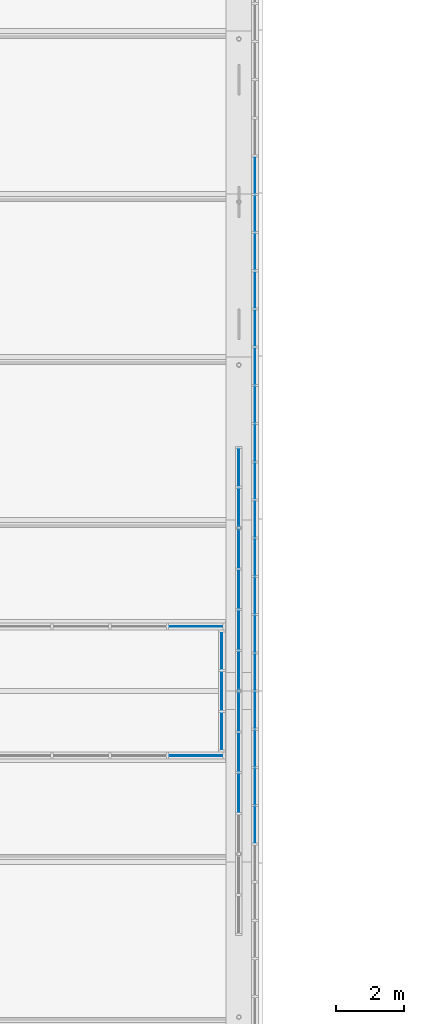
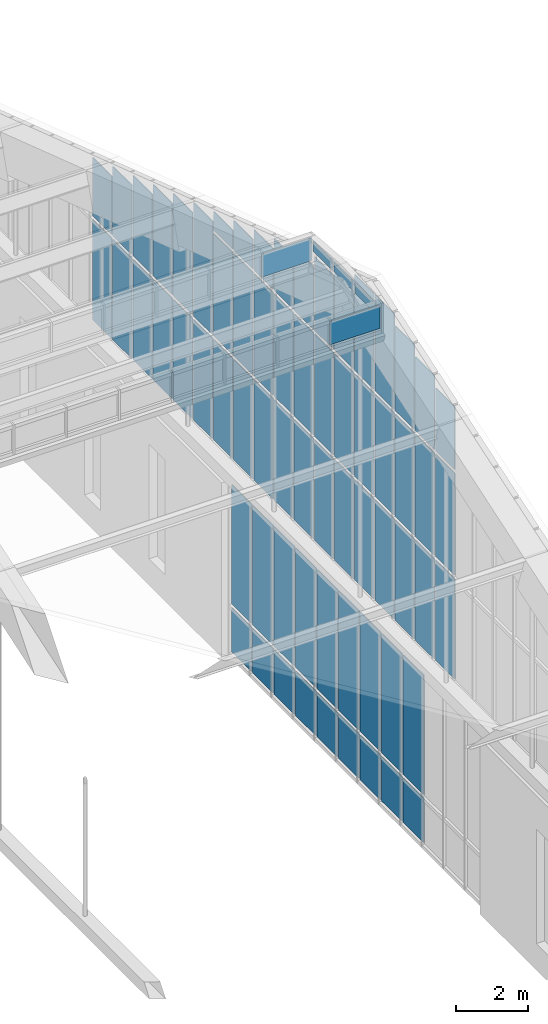
# One storey, part 118 of 149: 71 plates, 5 elements without a shape of their own.
"""IFC4 building model written with IfcOpenShell, lengths in metres."""

from ifc_helpers import new_model, si_unit, direction, frame, origin, origin_2d, place, context, subcontext, project, spatial, rectangle, extrude, material, layer, layer_set, type_object, element, aggregate, save


model = new_model("IFC4")

# Units and contexts
model_context = context("Model", 3, precision=1e-05, world=origin(), true_north=direction((0.0, 1.0)))
body_context = subcontext(model_context, "Body", "Model", "MODEL_VIEW")
ifc_project = project(units=[si_unit("LENGTHUNIT", "METRE"), si_unit("AREAUNIT", "SQUARE_METRE"), si_unit("VOLUMEUNIT", "CUBIC_METRE"), si_unit("PLANEANGLEUNIT", "RADIAN"), si_unit("MASSUNIT", "GRAM", prefix="KILO")], contexts=[model_context])

# Site, building, storey
site_placement = place(None, origin())
site = spatial("IfcSite", under=ifc_project, at=site_placement, CompositionType="ELEMENT")
building_placement = place(site_placement, origin())
building = spatial("IfcBuilding", under=site, at=building_placement, Name="Alderwick Market Hall", CompositionType="ELEMENT")
storey_placement = place(building_placement, frame((0.0, 0.0, 9.60009765625)))
storey = spatial("IfcBuildingStorey", under=building, at=storey_placement, Name="L01", CompositionType="ELEMENT", Elevation=9.60009765625)

# Curtain wall, plates
ifc_material_1 = material(Name="Aluminium", Category="aluminium")
curtain_wall_type = type_object("IfcCurtainWallType", Name="R Curtain Wall Frame", PredefinedType="NOTDEFINED", material=ifc_material_1)
curtain_wall_1_placement = place(storey_placement, origin())
curtain_wall_1 = element("IfcCurtainWall", 1, at=curtain_wall_1_placement, inside=storey, type_object=curtain_wall_type, Name="Curtain wall GCW2", PredefinedType="NOTDEFINED")
ifc_material_2 = material(Name="Glass 8+8 mm PVB interlayer", Category="glass")
ifc_layer = layer(ifc_material_2, 0.028076171875)
ifc_layer_set = layer_set([ifc_layer], Name="Glass 8+8 mm PVB interlayer")
plate_type = type_object("IfcPlateType", Name="R CW Panel IGU 28", PredefinedType="CURTAIN_PANEL", material=ifc_layer_set)
plate_1_placement = place(storey_placement, frame((151.199951171875, 76.199951171875, 0.119873046875), z_axis=(0.0, 0.0, 1.0), x_axis=(1.0, 0.0, 0.0)))
plate_1 = element("IfcPlate", 2, at=plate_1_placement, type_object=plate_type, Name="GCW2 panel 4.1", PredefinedType="CURTAIN_PANEL", context=body_context, shape_type="SweptSolid", body=[
    extrude(rectangle(XDim=0.028076171875, YDim=1.139892578125, at=origin_2d()), origin(), (0.0, 0.0, 1.0), 1.52001953125),
])
plate_2_placement = place(storey_placement, frame((151.199951171875, 76.199951171875, 1.759765625), z_axis=(0.0, 0.0, 1.0), x_axis=(1.0, 0.0, 0.0)))
plate_2 = element("IfcPlate", 3, at=plate_2_placement, type_object=plate_type, Name="GCW2 panel 4.2", PredefinedType="CURTAIN_PANEL", context=body_context, shape_type="SweptSolid", body=[
    extrude(rectangle(XDim=0.028076171875, YDim=1.139892578125, at=origin_2d()), origin(), (0.0, 0.0, 1.0), 4.06689453125),
])
plate_3_placement = place(storey_placement, frame((151.199951171875, 77.39990234375, 0.119873046875), z_axis=(0.0, 0.0, 1.0), x_axis=(1.0, 0.0, 0.0)))
plate_3 = element("IfcPlate", 4, at=plate_3_placement, type_object=plate_type, Name="GCW2 panel 5.1", PredefinedType="CURTAIN_PANEL", context=body_context, shape_type="SweptSolid", body=[
    extrude(rectangle(XDim=0.028076171875, YDim=1.139892578125, at=origin_2d()), origin(), (0.0, 0.0, 1.0), 1.52001953125),
])
plate_4_placement = place(storey_placement, frame((151.199951171875, 77.39990234375, 1.759765625), z_axis=(0.0, 0.0, 1.0), x_axis=(1.0, 0.0, 0.0)))
plate_4 = element("IfcPlate", 5, at=plate_4_placement, type_object=plate_type, Name="GCW2 panel 5.2", PredefinedType="CURTAIN_PANEL", context=body_context, shape_type="SweptSolid", body=[
    extrude(rectangle(XDim=0.028076171875, YDim=1.139892578125, at=origin_2d()), origin(), (0.0, 0.0, 1.0), 4.06689453125),
])
plate_5_placement = place(storey_placement, frame((151.199951171875, 78.60009765625, 0.119873046875), z_axis=(0.0, 0.0, 1.0), x_axis=(1.0, 0.0, 0.0)))
plate_5 = element("IfcPlate", 6, at=plate_5_placement, type_object=plate_type, Name="GCW2 panel 6.1", PredefinedType="CURTAIN_PANEL", context=body_context, shape_type="SweptSolid", body=[
    extrude(rectangle(XDim=0.028076171875, YDim=1.139892578125, at=origin_2d()), origin(), (0.0, 0.0, 1.0), 1.52001953125),
])
plate_6_placement = place(storey_placement, frame((151.199951171875, 78.60009765625, 1.759765625), z_axis=(0.0, 0.0, 1.0), x_axis=(1.0, 0.0, 0.0)))
plate_6 = element("IfcPlate", 7, at=plate_6_placement, type_object=plate_type, Name="GCW2 panel 6.2", PredefinedType="CURTAIN_PANEL", context=body_context, shape_type="SweptSolid", body=[
    extrude(rectangle(XDim=0.028076171875, YDim=1.139892578125, at=origin_2d()), origin(), (0.0, 0.0, 1.0), 4.06689453125),
])
plate_7_placement = place(storey_placement, frame((151.199951171875, 79.800048828125, 0.119873046875), z_axis=(0.0, 0.0, 1.0), x_axis=(1.0, 0.0, 0.0)))
plate_7 = element("IfcPlate", 8, at=plate_7_placement, type_object=plate_type, Name="GCW2 panel 7.1", PredefinedType="CURTAIN_PANEL", context=body_context, shape_type="SweptSolid", body=[
    extrude(rectangle(XDim=0.028076171875, YDim=1.139892578125, at=origin_2d()), origin(), (0.0, 0.0, 1.0), 1.52001953125),
])
plate_8_placement = place(storey_placement, frame((151.199951171875, 79.800048828125, 1.759765625), z_axis=(0.0, 0.0, 1.0), x_axis=(1.0, 0.0, 0.0)))
plate_8 = element("IfcPlate", 9, at=plate_8_placement, type_object=plate_type, Name="GCW2 panel 7.2", PredefinedType="CURTAIN_PANEL", context=body_context, shape_type="SweptSolid", body=[
    extrude(rectangle(XDim=0.028076171875, YDim=1.139892578125, at=origin_2d()), origin(), (0.0, 0.0, 1.0), 4.06689453125),
])
plate_9_placement = place(storey_placement, frame((151.199951171875, 81.0, 0.119873046875), z_axis=(0.0, 0.0, 1.0), x_axis=(1.0, 0.0, 0.0)))
plate_9 = element("IfcPlate", 10, at=plate_9_placement, type_object=plate_type, Name="GCW2 panel 8.1", PredefinedType="CURTAIN_PANEL", context=body_context, shape_type="SweptSolid", body=[
    extrude(rectangle(XDim=0.028076171875, YDim=1.139892578125, at=origin_2d()), origin(), (0.0, 0.0, 1.0), 1.52001953125),
])
plate_10_placement = place(storey_placement, frame((151.199951171875, 81.0, 1.759765625), z_axis=(0.0, 0.0, 1.0), x_axis=(1.0, 0.0, 0.0)))
plate_10 = element("IfcPlate", 11, at=plate_10_placement, type_object=plate_type, Name="GCW2 panel 8.2", PredefinedType="CURTAIN_PANEL", context=body_context, shape_type="SweptSolid", body=[
    extrude(rectangle(XDim=0.028076171875, YDim=1.139892578125, at=origin_2d()), origin(), (0.0, 0.0, 1.0), 4.06689453125),
])
plate_11_placement = place(storey_placement, frame((151.199951171875, 82.199951171875, 0.119873046875), z_axis=(0.0, 0.0, 1.0), x_axis=(1.0, 0.0, 0.0)))
plate_11 = element("IfcPlate", 12, at=plate_11_placement, type_object=plate_type, Name="GCW2 panel 9.1", PredefinedType="CURTAIN_PANEL", context=body_context, shape_type="SweptSolid", body=[
    extrude(rectangle(XDim=0.028076171875, YDim=1.139892578125, at=origin_2d()), origin(), (0.0, 0.0, 1.0), 1.52001953125),
])
plate_12_placement = place(storey_placement, frame((151.199951171875, 82.199951171875, 1.759765625), z_axis=(0.0, 0.0, 1.0), x_axis=(1.0, 0.0, 0.0)))
plate_12 = element("IfcPlate", 13, at=plate_12_placement, type_object=plate_type, Name="GCW2 panel 9.2", PredefinedType="CURTAIN_PANEL", context=body_context, shape_type="SweptSolid", body=[
    extrude(rectangle(XDim=0.028076171875, YDim=1.139892578125, at=origin_2d()), origin(), (0.0, 0.0, 1.0), 4.06689453125),
])
plate_13_placement = place(storey_placement, frame((151.199951171875, 83.39990234375, 0.119873046875), z_axis=(0.0, 0.0, 1.0), x_axis=(1.0, 0.0, 0.0)))
plate_13 = element("IfcPlate", 14, at=plate_13_placement, type_object=plate_type, Name="GCW2 panel 10.1", PredefinedType="CURTAIN_PANEL", context=body_context, shape_type="SweptSolid", body=[
    extrude(rectangle(XDim=0.028076171875, YDim=1.139892578125, at=origin_2d()), origin(), (0.0, 0.0, 1.0), 1.52001953125),
])
plate_14_placement = place(storey_placement, frame((151.199951171875, 83.39990234375, 1.759765625), z_axis=(0.0, 0.0, 1.0), x_axis=(1.0, 0.0, 0.0)))
plate_14 = element("IfcPlate", 15, at=plate_14_placement, type_object=plate_type, Name="GCW2 panel 10.2", PredefinedType="CURTAIN_PANEL", context=body_context, shape_type="SweptSolid", body=[
    extrude(rectangle(XDim=0.028076171875, YDim=1.139892578125, at=origin_2d()), origin(), (0.0, 0.0, 1.0), 4.06689453125),
])
plate_15_placement = place(storey_placement, frame((151.199951171875, 84.60009765625, 0.119873046875), z_axis=(0.0, 0.0, 1.0), x_axis=(1.0, 0.0, 0.0)))
plate_15 = element("IfcPlate", 16, at=plate_15_placement, type_object=plate_type, Name="GCW2 panel 11.1", PredefinedType="CURTAIN_PANEL", context=body_context, shape_type="SweptSolid", body=[
    extrude(rectangle(XDim=0.028076171875, YDim=1.139892578125, at=origin_2d()), origin(), (0.0, 0.0, 1.0), 1.52001953125),
])
plate_16_placement = place(storey_placement, frame((151.199951171875, 84.60009765625, 1.759765625), z_axis=(0.0, 0.0, 1.0), x_axis=(1.0, 0.0, 0.0)))
plate_16 = element("IfcPlate", 17, at=plate_16_placement, type_object=plate_type, Name="GCW2 panel 11.2", PredefinedType="CURTAIN_PANEL", context=body_context, shape_type="SweptSolid", body=[
    extrude(rectangle(XDim=0.028076171875, YDim=1.139892578125, at=origin_2d()), origin(), (0.0, 0.0, 1.0), 4.06689453125),
])
plate_17_placement = place(storey_placement, frame((151.199951171875, 85.784912109375, 0.119873046875), z_axis=(0.0, 0.0, 1.0), x_axis=(1.0, 0.0, 0.0)))
plate_17 = element("IfcPlate", 18, at=plate_17_placement, type_object=plate_type, Name="GCW2 panel 12.1", PredefinedType="CURTAIN_PANEL", context=body_context, shape_type="SweptSolid", body=[
    extrude(rectangle(XDim=0.028076171875, YDim=1.110107421875, at=origin_2d()), origin(), (0.0, 0.0, 1.0), 1.52001953125),
])
plate_18_placement = place(storey_placement, frame((151.199951171875, 85.784912109375, 1.759765625), z_axis=(0.0, 0.0, 1.0), x_axis=(1.0, 0.0, 0.0)))
plate_18 = element("IfcPlate", 19, at=plate_18_placement, type_object=plate_type, Name="GCW2 panel 12.2", PredefinedType="CURTAIN_PANEL", context=body_context, shape_type="SweptSolid", body=[
    extrude(rectangle(XDim=0.028076171875, YDim=1.110107421875, at=origin_2d()), origin(), (0.0, 0.0, 1.0), 4.06689453125),
])
aggregate(curtain_wall_1, [plate_1, plate_2, plate_3, plate_4, plate_5, plate_6, plate_7, plate_8, plate_9, plate_10, plate_11, plate_12, plate_13, plate_14, plate_15, plate_16, plate_17, plate_18])

curtain_wall_2_placement = place(storey_placement, origin())
curtain_wall_2 = element("IfcCurtainWall", 20, at=curtain_wall_2_placement, inside=storey, type_object=curtain_wall_type, Name="Curtain wall GCW3", PredefinedType="NOTDEFINED")
plate_19_placement = place(storey_placement, frame((151.675048828125, 75.262451171875, 6.066650390625), z_axis=(0.0, 0.0, 1.0), x_axis=(1.0, 0.0, 0.0)))
plate_19 = element("IfcPlate", 21, at=plate_19_placement, type_object=plate_type, Name="GCW3 panel 21.1", PredefinedType="CURTAIN_PANEL", context=body_context, shape_type="SweptSolid", body=[
    extrude(rectangle(XDim=0.028076171875, YDim=1.06494140625, at=origin_2d()), origin(), (0.0, 0.0, 1.0), 3.419921875),
])
plate_20_placement = place(storey_placement, frame((151.675048828125, 75.262451171875, 9.606689453125), z_axis=(0.0, 0.0, 1.0), x_axis=(1.0, 0.0, 0.0)))
plate_20 = element("IfcPlate", 22, at=plate_20_placement, type_object=plate_type, Name="GCW3 panel 21.2", PredefinedType="CURTAIN_PANEL", context=body_context, shape_type="SweptSolid", body=[
    extrude(rectangle(XDim=0.028076171875, YDim=1.06494140625, at=origin_2d()), origin(), (0.0, 0.0, 1.0), 3.47998046875),
])
plate_21_placement = place(storey_placement, frame((151.675048828125, 75.262451171875, 13.206787109375), z_axis=(0.0, 0.0, 1.0), x_axis=(1.0, 0.0, 0.0)))
plate_21 = element("IfcPlate", 23, at=plate_21_placement, type_object=plate_type, Name="GCW3 panel 21.3", PredefinedType="CURTAIN_PANEL", context=body_context, shape_type="SweptSolid", body=[
    extrude(rectangle(XDim=0.028076171875, YDim=1.06494140625, at=origin_2d()), origin(), (0.0, 0.0, 1.0), 2.13720703125),
])
plate_22_placement = place(storey_placement, frame((151.675048828125, 76.387451171875, 6.066650390625), z_axis=(0.0, 0.0, 1.0), x_axis=(1.0, 0.0, 0.0)))
plate_22 = element("IfcPlate", 24, at=plate_22_placement, type_object=plate_type, Name="GCW3 panel 22.1", PredefinedType="CURTAIN_PANEL", context=body_context, shape_type="SweptSolid", body=[
    extrude(rectangle(XDim=0.028076171875, YDim=1.06494140625, at=origin_2d()), origin(), (0.0, 0.0, 1.0), 3.419921875),
])
plate_23_placement = place(storey_placement, frame((151.675048828125, 76.387451171875, 9.606689453125), z_axis=(0.0, 0.0, 1.0), x_axis=(1.0, 0.0, 0.0)))
plate_23 = element("IfcPlate", 25, at=plate_23_placement, type_object=plate_type, Name="GCW3 panel 22.2", PredefinedType="CURTAIN_PANEL", context=body_context, shape_type="SweptSolid", body=[
    extrude(rectangle(XDim=0.028076171875, YDim=1.06494140625, at=origin_2d()), origin(), (0.0, 0.0, 1.0), 3.47998046875),
])
plate_24_placement = place(storey_placement, frame((151.675048828125, 76.387451171875, 13.206787109375), z_axis=(0.0, 0.0, 1.0), x_axis=(1.0, 0.0, 0.0)))
plate_24 = element("IfcPlate", 26, at=plate_24_placement, type_object=plate_type, Name="GCW3 panel 22.3", PredefinedType="CURTAIN_PANEL", context=body_context, shape_type="SweptSolid", body=[
    extrude(rectangle(XDim=0.028076171875, YDim=1.06494140625, at=origin_2d()), origin(), (0.0, 0.0, 1.0), 2.51220703125),
])
plate_25_placement = place(storey_placement, frame((151.675048828125, 77.512451171875, 6.066650390625), z_axis=(0.0, 0.0, 1.0), x_axis=(1.0, 0.0, 0.0)))
plate_25 = element("IfcPlate", 27, at=plate_25_placement, type_object=plate_type, Name="GCW3 panel 23.1", PredefinedType="CURTAIN_PANEL", context=body_context, shape_type="SweptSolid", body=[
    extrude(rectangle(XDim=0.028076171875, YDim=1.06494140625, at=origin_2d()), origin(), (0.0, 0.0, 1.0), 3.419921875),
])
plate_26_placement = place(storey_placement, frame((151.675048828125, 77.512451171875, 9.606689453125), z_axis=(0.0, 0.0, 1.0), x_axis=(1.0, 0.0, 0.0)))
plate_26 = element("IfcPlate", 28, at=plate_26_placement, type_object=plate_type, Name="GCW3 panel 23.2", PredefinedType="CURTAIN_PANEL", context=body_context, shape_type="SweptSolid", body=[
    extrude(rectangle(XDim=0.028076171875, YDim=1.06494140625, at=origin_2d()), origin(), (0.0, 0.0, 1.0), 3.47998046875),
])
plate_27_placement = place(storey_placement, frame((151.675048828125, 77.512451171875, 13.206787109375), z_axis=(0.0, 0.0, 1.0), x_axis=(1.0, 0.0, 0.0)))
plate_27 = element("IfcPlate", 29, at=plate_27_placement, type_object=plate_type, Name="GCW3 panel 23.3", PredefinedType="CURTAIN_PANEL", context=body_context, shape_type="SweptSolid", body=[
    extrude(rectangle(XDim=0.028076171875, YDim=1.06494140625, at=origin_2d()), origin(), (0.0, 0.0, 1.0), 2.88720703125),
])
plate_28_placement = place(storey_placement, frame((151.675048828125, 78.637451171875, 6.066650390625), z_axis=(0.0, 0.0, 1.0), x_axis=(1.0, 0.0, 0.0)))
plate_28 = element("IfcPlate", 30, at=plate_28_placement, type_object=plate_type, Name="GCW3 panel 24.1", PredefinedType="CURTAIN_PANEL", context=body_context, shape_type="SweptSolid", body=[
    extrude(rectangle(XDim=0.028076171875, YDim=1.06494140625, at=origin_2d()), origin(), (0.0, 0.0, 1.0), 3.419921875),
])
plate_29_placement = place(storey_placement, frame((151.675048828125, 78.637451171875, 9.606689453125), z_axis=(0.0, 0.0, 1.0), x_axis=(1.0, 0.0, 0.0)))
plate_29 = element("IfcPlate", 31, at=plate_29_placement, type_object=plate_type, Name="GCW3 panel 24.2", PredefinedType="CURTAIN_PANEL", context=body_context, shape_type="SweptSolid", body=[
    extrude(rectangle(XDim=0.028076171875, YDim=1.06494140625, at=origin_2d()), origin(), (0.0, 0.0, 1.0), 3.47998046875),
])
plate_30_placement = place(storey_placement, frame((151.675048828125, 78.637451171875, 13.206787109375), z_axis=(0.0, 0.0, 1.0), x_axis=(1.0, 0.0, 0.0)))
plate_30 = element("IfcPlate", 32, at=plate_30_placement, type_object=plate_type, Name="GCW3 panel 24.3", PredefinedType="CURTAIN_PANEL", context=body_context, shape_type="SweptSolid", body=[
    extrude(rectangle(XDim=0.028076171875, YDim=1.06494140625, at=origin_2d()), origin(), (0.0, 0.0, 1.0), 3.26220703125),
])
plate_31_placement = place(storey_placement, frame((151.675048828125, 79.762451171875, 6.066650390625), z_axis=(0.0, 0.0, 1.0), x_axis=(1.0, 0.0, 0.0)))
plate_31 = element("IfcPlate", 33, at=plate_31_placement, type_object=plate_type, Name="GCW3 panel 25.1", PredefinedType="CURTAIN_PANEL", context=body_context, shape_type="SweptSolid", body=[
    extrude(rectangle(XDim=0.028076171875, YDim=1.06494140625, at=origin_2d()), origin(), (0.0, 0.0, 1.0), 3.419921875),
])
plate_32_placement = place(storey_placement, frame((151.675048828125, 79.762451171875, 9.606689453125), z_axis=(0.0, 0.0, 1.0), x_axis=(1.0, 0.0, 0.0)))
plate_32 = element("IfcPlate", 34, at=plate_32_placement, type_object=plate_type, Name="GCW3 panel 25.2", PredefinedType="CURTAIN_PANEL", context=body_context, shape_type="SweptSolid", body=[
    extrude(rectangle(XDim=0.028076171875, YDim=1.06494140625, at=origin_2d()), origin(), (0.0, 0.0, 1.0), 3.47998046875),
])
plate_33_placement = place(storey_placement, frame((151.675048828125, 79.762451171875, 13.206787109375), z_axis=(0.0, 0.0, 1.0), x_axis=(1.0, 0.0, 0.0)))
plate_33 = element("IfcPlate", 35, at=plate_33_placement, type_object=plate_type, Name="GCW3 panel 25.3", PredefinedType="CURTAIN_PANEL", context=body_context, shape_type="SweptSolid", body=[
    extrude(rectangle(XDim=0.028076171875, YDim=1.06494140625, at=origin_2d()), origin(), (0.0, 0.0, 1.0), 3.26220703125),
])
plate_34_placement = place(storey_placement, frame((151.675048828125, 80.887451171875, 6.066650390625), z_axis=(0.0, 0.0, 1.0), x_axis=(1.0, 0.0, 0.0)))
plate_34 = element("IfcPlate", 36, at=plate_34_placement, type_object=plate_type, Name="GCW3 panel 26.1", PredefinedType="CURTAIN_PANEL", context=body_context, shape_type="SweptSolid", body=[
    extrude(rectangle(XDim=0.028076171875, YDim=1.06494140625, at=origin_2d()), origin(), (0.0, 0.0, 1.0), 3.419921875),
])
plate_35_placement = place(storey_placement, frame((151.675048828125, 80.887451171875, 9.606689453125), z_axis=(0.0, 0.0, 1.0), x_axis=(1.0, 0.0, 0.0)))
plate_35 = element("IfcPlate", 37, at=plate_35_placement, type_object=plate_type, Name="GCW3 panel 26.2", PredefinedType="CURTAIN_PANEL", context=body_context, shape_type="SweptSolid", body=[
    extrude(rectangle(XDim=0.028076171875, YDim=1.06494140625, at=origin_2d()), origin(), (0.0, 0.0, 1.0), 3.47998046875),
])
plate_36_placement = place(storey_placement, frame((151.675048828125, 80.887451171875, 13.206787109375), z_axis=(0.0, 0.0, 1.0), x_axis=(1.0, 0.0, 0.0)))
plate_36 = element("IfcPlate", 38, at=plate_36_placement, type_object=plate_type, Name="GCW3 panel 26.3", PredefinedType="CURTAIN_PANEL", context=body_context, shape_type="SweptSolid", body=[
    extrude(rectangle(XDim=0.028076171875, YDim=1.06494140625, at=origin_2d()), origin(), (0.0, 0.0, 1.0), 2.88720703125),
])
plate_37_placement = place(storey_placement, frame((151.675048828125, 82.012451171875, 6.066650390625), z_axis=(0.0, 0.0, 1.0), x_axis=(1.0, 0.0, 0.0)))
plate_37 = element("IfcPlate", 39, at=plate_37_placement, type_object=plate_type, Name="GCW3 panel 27.1", PredefinedType="CURTAIN_PANEL", context=body_context, shape_type="SweptSolid", body=[
    extrude(rectangle(XDim=0.028076171875, YDim=1.06494140625, at=origin_2d()), origin(), (0.0, 0.0, 1.0), 3.419921875),
])
plate_38_placement = place(storey_placement, frame((151.675048828125, 82.012451171875, 9.606689453125), z_axis=(0.0, 0.0, 1.0), x_axis=(1.0, 0.0, 0.0)))
plate_38 = element("IfcPlate", 40, at=plate_38_placement, type_object=plate_type, Name="GCW3 panel 27.2", PredefinedType="CURTAIN_PANEL", context=body_context, shape_type="SweptSolid", body=[
    extrude(rectangle(XDim=0.028076171875, YDim=1.06494140625, at=origin_2d()), origin(), (0.0, 0.0, 1.0), 3.47998046875),
])
plate_39_placement = place(storey_placement, frame((151.675048828125, 82.012451171875, 13.206787109375), z_axis=(0.0, 0.0, 1.0), x_axis=(1.0, 0.0, 0.0)))
plate_39 = element("IfcPlate", 41, at=plate_39_placement, type_object=plate_type, Name="GCW3 panel 27.3", PredefinedType="CURTAIN_PANEL", context=body_context, shape_type="SweptSolid", body=[
    extrude(rectangle(XDim=0.028076171875, YDim=1.06494140625, at=origin_2d()), origin(), (0.0, 0.0, 1.0), 2.51220703125),
])
plate_40_placement = place(storey_placement, frame((151.675048828125, 83.137451171875, 6.066650390625), z_axis=(0.0, 0.0, 1.0), x_axis=(1.0, 0.0, 0.0)))
plate_40 = element("IfcPlate", 42, at=plate_40_placement, type_object=plate_type, Name="GCW3 panel 28.1", PredefinedType="CURTAIN_PANEL", context=body_context, shape_type="SweptSolid", body=[
    extrude(rectangle(XDim=0.028076171875, YDim=1.06494140625, at=origin_2d()), origin(), (0.0, 0.0, 1.0), 3.419921875),
])
plate_41_placement = place(storey_placement, frame((151.675048828125, 83.137451171875, 9.606689453125), z_axis=(0.0, 0.0, 1.0), x_axis=(1.0, 0.0, 0.0)))
plate_41 = element("IfcPlate", 43, at=plate_41_placement, type_object=plate_type, Name="GCW3 panel 28.2", PredefinedType="CURTAIN_PANEL", context=body_context, shape_type="SweptSolid", body=[
    extrude(rectangle(XDim=0.028076171875, YDim=1.06494140625, at=origin_2d()), origin(), (0.0, 0.0, 1.0), 3.47998046875),
])
plate_42_placement = place(storey_placement, frame((151.675048828125, 83.137451171875, 13.206787109375), z_axis=(0.0, 0.0, 1.0), x_axis=(1.0, 0.0, 0.0)))
plate_42 = element("IfcPlate", 44, at=plate_42_placement, type_object=plate_type, Name="GCW3 panel 28.3", PredefinedType="CURTAIN_PANEL", context=body_context, shape_type="SweptSolid", body=[
    extrude(rectangle(XDim=0.028076171875, YDim=1.06494140625, at=origin_2d()), origin(), (0.0, 0.0, 1.0), 2.13720703125),
])
plate_43_placement = place(storey_placement, frame((151.675048828125, 84.262451171875, 6.066650390625), z_axis=(0.0, 0.0, 1.0), x_axis=(1.0, 0.0, 0.0)))
plate_43 = element("IfcPlate", 45, at=plate_43_placement, type_object=plate_type, Name="GCW3 panel 29.1", PredefinedType="CURTAIN_PANEL", context=body_context, shape_type="SweptSolid", body=[
    extrude(rectangle(XDim=0.028076171875, YDim=1.06494140625, at=origin_2d()), origin(), (0.0, 0.0, 1.0), 3.419921875),
])
plate_44_placement = place(storey_placement, frame((151.675048828125, 84.262451171875, 9.606689453125), z_axis=(0.0, 0.0, 1.0), x_axis=(1.0, 0.0, 0.0)))
plate_44 = element("IfcPlate", 46, at=plate_44_placement, type_object=plate_type, Name="GCW3 panel 29.2", PredefinedType="CURTAIN_PANEL", context=body_context, shape_type="SweptSolid", body=[
    extrude(rectangle(XDim=0.028076171875, YDim=1.06494140625, at=origin_2d()), origin(), (0.0, 0.0, 1.0), 3.47998046875),
])
plate_45_placement = place(storey_placement, frame((151.675048828125, 84.262451171875, 13.206787109375), z_axis=(0.0, 0.0, 1.0), x_axis=(1.0, 0.0, 0.0)))
plate_45 = element("IfcPlate", 47, at=plate_45_placement, type_object=plate_type, Name="GCW3 panel 29.3", PredefinedType="CURTAIN_PANEL", context=body_context, shape_type="SweptSolid", body=[
    extrude(rectangle(XDim=0.028076171875, YDim=1.06494140625, at=origin_2d()), origin(), (0.0, 0.0, 1.0), 1.76220703125),
])
plate_46_placement = place(storey_placement, frame((151.675048828125, 85.387451171875, 6.066650390625), z_axis=(0.0, 0.0, 1.0), x_axis=(1.0, 0.0, 0.0)))
plate_46 = element("IfcPlate", 48, at=plate_46_placement, type_object=plate_type, Name="GCW3 panel 30.1", PredefinedType="CURTAIN_PANEL", context=body_context, shape_type="SweptSolid", body=[
    extrude(rectangle(XDim=0.028076171875, YDim=1.06494140625, at=origin_2d()), origin(), (0.0, 0.0, 1.0), 3.419921875),
])
plate_47_placement = place(storey_placement, frame((151.675048828125, 85.387451171875, 9.606689453125), z_axis=(0.0, 0.0, 1.0), x_axis=(1.0, 0.0, 0.0)))
plate_47 = element("IfcPlate", 49, at=plate_47_placement, type_object=plate_type, Name="GCW3 panel 30.2", PredefinedType="CURTAIN_PANEL", context=body_context, shape_type="SweptSolid", body=[
    extrude(rectangle(XDim=0.028076171875, YDim=1.06494140625, at=origin_2d()), origin(), (0.0, 0.0, 1.0), 3.47998046875),
])
plate_48_placement = place(storey_placement, frame((151.675048828125, 85.387451171875, 13.206787109375), z_axis=(0.0, 0.0, 1.0), x_axis=(1.0, 0.0, 0.0)))
plate_48 = element("IfcPlate", 50, at=plate_48_placement, type_object=plate_type, Name="GCW3 panel 30.3", PredefinedType="CURTAIN_PANEL", context=body_context, shape_type="SweptSolid", body=[
    extrude(rectangle(XDim=0.028076171875, YDim=1.06494140625, at=origin_2d()), origin(), (0.0, 0.0, 1.0), 1.38720703125),
])
plate_49_placement = place(storey_placement, frame((151.675048828125, 86.512451171875, 6.066650390625), z_axis=(0.0, 0.0, 1.0), x_axis=(1.0, 0.0, 0.0)))
plate_49 = element("IfcPlate", 51, at=plate_49_placement, type_object=plate_type, Name="GCW3 panel 31.1", PredefinedType="CURTAIN_PANEL", context=body_context, shape_type="SweptSolid", body=[
    extrude(rectangle(XDim=0.028076171875, YDim=1.06494140625, at=origin_2d()), origin(), (0.0, 0.0, 1.0), 3.419921875),
])
plate_50_placement = place(storey_placement, frame((151.675048828125, 86.512451171875, 9.606689453125), z_axis=(0.0, 0.0, 1.0), x_axis=(1.0, 0.0, 0.0)))
plate_50 = element("IfcPlate", 52, at=plate_50_placement, type_object=plate_type, Name="GCW3 panel 31.2", PredefinedType="CURTAIN_PANEL", context=body_context, shape_type="SweptSolid", body=[
    extrude(rectangle(XDim=0.028076171875, YDim=1.06494140625, at=origin_2d()), origin(), (0.0, 0.0, 1.0), 3.47998046875),
])
plate_51_placement = place(storey_placement, frame((151.675048828125, 86.512451171875, 13.206787109375), z_axis=(0.0, 0.0, 1.0), x_axis=(1.0, 0.0, 0.0)))
plate_51 = element("IfcPlate", 53, at=plate_51_placement, type_object=plate_type, Name="GCW3 panel 31.3", PredefinedType="CURTAIN_PANEL", context=body_context, shape_type="SweptSolid", body=[
    extrude(rectangle(XDim=0.028076171875, YDim=1.06494140625, at=origin_2d()), origin(), (0.0, 0.0, 1.0), 1.01220703125),
])
plate_52_placement = place(storey_placement, frame((151.675048828125, 87.637451171875, 6.066650390625), z_axis=(0.0, 0.0, 1.0), x_axis=(1.0, 0.0, 0.0)))
plate_52 = element("IfcPlate", 54, at=plate_52_placement, type_object=plate_type, Name="GCW3 panel 32.1", PredefinedType="CURTAIN_PANEL", context=body_context, shape_type="SweptSolid", body=[
    extrude(rectangle(XDim=0.028076171875, YDim=1.06494140625, at=origin_2d()), origin(), (0.0, 0.0, 1.0), 3.419921875),
])
plate_53_placement = place(storey_placement, frame((151.675048828125, 87.637451171875, 9.606689453125), z_axis=(0.0, 0.0, 1.0), x_axis=(1.0, 0.0, 0.0)))
plate_53 = element("IfcPlate", 55, at=plate_53_placement, type_object=plate_type, Name="GCW3 panel 32.2", PredefinedType="CURTAIN_PANEL", context=body_context, shape_type="SweptSolid", body=[
    extrude(rectangle(XDim=0.028076171875, YDim=1.06494140625, at=origin_2d()), origin(), (0.0, 0.0, 1.0), 3.47998046875),
])
plate_54_placement = place(storey_placement, frame((151.675048828125, 87.637451171875, 13.206787109375), z_axis=(0.0, 0.0, 1.0), x_axis=(1.0, 0.0, 0.0)))
plate_54 = element("IfcPlate", 56, at=plate_54_placement, type_object=plate_type, Name="GCW3 panel 32.3", PredefinedType="CURTAIN_PANEL", context=body_context, shape_type="SweptSolid", body=[
    extrude(rectangle(XDim=0.028076171875, YDim=1.06494140625, at=origin_2d()), origin(), (0.0, 0.0, 1.0), 0.63720703125),
])
plate_55_placement = place(storey_placement, frame((151.675048828125, 88.762451171875, 6.066650390625), z_axis=(0.0, 0.0, 1.0), x_axis=(1.0, 0.0, 0.0)))
plate_55 = element("IfcPlate", 57, at=plate_55_placement, type_object=plate_type, Name="GCW3 panel 33.1", PredefinedType="CURTAIN_PANEL", context=body_context, shape_type="SweptSolid", body=[
    extrude(rectangle(XDim=0.028076171875, YDim=1.06494140625, at=origin_2d()), origin(), (0.0, 0.0, 1.0), 3.419921875),
])
plate_56_placement = place(storey_placement, frame((151.675048828125, 88.762451171875, 9.606689453125), z_axis=(0.0, 0.0, 1.0), x_axis=(1.0, 0.0, 0.0)))
plate_56 = element("IfcPlate", 58, at=plate_56_placement, type_object=plate_type, Name="GCW3 panel 33.2", PredefinedType="CURTAIN_PANEL", context=body_context, shape_type="SweptSolid", body=[
    extrude(rectangle(XDim=0.028076171875, YDim=1.06494140625, at=origin_2d()), origin(), (0.0, 0.0, 1.0), 3.8623046875),
])
plate_57_placement = place(storey_placement, frame((151.675048828125, 89.887451171875, 6.066650390625), z_axis=(0.0, 0.0, 1.0), x_axis=(1.0, 0.0, 0.0)))
plate_57 = element("IfcPlate", 59, at=plate_57_placement, type_object=plate_type, Name="GCW3 panel 34.1", PredefinedType="CURTAIN_PANEL", context=body_context, shape_type="SweptSolid", body=[
    extrude(rectangle(XDim=0.028076171875, YDim=1.06494140625, at=origin_2d()), origin(), (0.0, 0.0, 1.0), 3.419921875),
])
plate_58_placement = place(storey_placement, frame((151.675048828125, 89.887451171875, 9.606689453125), z_axis=(0.0, 0.0, 1.0), x_axis=(1.0, 0.0, 0.0)))
plate_58 = element("IfcPlate", 60, at=plate_58_placement, type_object=plate_type, Name="GCW3 panel 34.2", PredefinedType="CURTAIN_PANEL", context=body_context, shape_type="SweptSolid", body=[
    extrude(rectangle(XDim=0.028076171875, YDim=1.06494140625, at=origin_2d()), origin(), (0.0, 0.0, 1.0), 3.4873046875),
])
plate_59_placement = place(storey_placement, frame((151.675048828125, 91.012451171875, 6.066650390625), z_axis=(0.0, 0.0, 1.0), x_axis=(1.0, 0.0, 0.0)))
plate_59 = element("IfcPlate", 61, at=plate_59_placement, type_object=plate_type, Name="GCW3 panel 35.1", PredefinedType="CURTAIN_PANEL", context=body_context, shape_type="SweptSolid", body=[
    extrude(rectangle(XDim=0.028076171875, YDim=1.06494140625, at=origin_2d()), origin(), (0.0, 0.0, 1.0), 3.419921875),
])
plate_60_placement = place(storey_placement, frame((151.675048828125, 91.012451171875, 9.606689453125), z_axis=(0.0, 0.0, 1.0), x_axis=(1.0, 0.0, 0.0)))
plate_60 = element("IfcPlate", 62, at=plate_60_placement, type_object=plate_type, Name="GCW3 panel 35.2", PredefinedType="CURTAIN_PANEL", context=body_context, shape_type="SweptSolid", body=[
    extrude(rectangle(XDim=0.028076171875, YDim=1.06494140625, at=origin_2d()), origin(), (0.0, 0.0, 1.0), 3.1123046875),
])
plate_61_placement = place(storey_placement, frame((151.675048828125, 92.137451171875, 6.066650390625), z_axis=(0.0, 0.0, 1.0), x_axis=(1.0, 0.0, 0.0)))
plate_61 = element("IfcPlate", 63, at=plate_61_placement, type_object=plate_type, Name="GCW3 panel 36.1", PredefinedType="CURTAIN_PANEL", context=body_context, shape_type="SweptSolid", body=[
    extrude(rectangle(XDim=0.028076171875, YDim=1.06494140625, at=origin_2d()), origin(), (0.0, 0.0, 1.0), 3.419921875),
])
plate_62_placement = place(storey_placement, frame((151.675048828125, 92.137451171875, 9.606689453125), z_axis=(0.0, 0.0, 1.0), x_axis=(1.0, 0.0, 0.0)))
plate_62 = element("IfcPlate", 64, at=plate_62_placement, type_object=plate_type, Name="GCW3 panel 36.2", PredefinedType="CURTAIN_PANEL", context=body_context, shape_type="SweptSolid", body=[
    extrude(rectangle(XDim=0.028076171875, YDim=1.06494140625, at=origin_2d()), origin(), (0.0, 0.0, 1.0), 2.7373046875),
])
plate_63_placement = place(storey_placement, frame((151.675048828125, 93.262451171875, 6.066650390625), z_axis=(0.0, 0.0, 1.0), x_axis=(1.0, 0.0, 0.0)))
plate_63 = element("IfcPlate", 65, at=plate_63_placement, type_object=plate_type, Name="GCW3 panel 37.1", PredefinedType="CURTAIN_PANEL", context=body_context, shape_type="SweptSolid", body=[
    extrude(rectangle(XDim=0.028076171875, YDim=1.06494140625, at=origin_2d()), origin(), (0.0, 0.0, 1.0), 3.419921875),
])
plate_64_placement = place(storey_placement, frame((151.675048828125, 93.262451171875, 9.606689453125), z_axis=(0.0, 0.0, 1.0), x_axis=(1.0, 0.0, 0.0)))
plate_64 = element("IfcPlate", 66, at=plate_64_placement, type_object=plate_type, Name="GCW3 panel 37.2", PredefinedType="CURTAIN_PANEL", context=body_context, shape_type="SweptSolid", body=[
    extrude(rectangle(XDim=0.028076171875, YDim=1.06494140625, at=origin_2d()), origin(), (0.0, 0.0, 1.0), 2.3623046875),
])
plate_65_placement = place(storey_placement, frame((151.675048828125, 94.387451171875, 6.066650390625), z_axis=(0.0, 0.0, 1.0), x_axis=(1.0, 0.0, 0.0)))
plate_65 = element("IfcPlate", 67, at=plate_65_placement, type_object=plate_type, Name="GCW3 panel 38.1", PredefinedType="CURTAIN_PANEL", context=body_context, shape_type="SweptSolid", body=[
    extrude(rectangle(XDim=0.028076171875, YDim=1.06494140625, at=origin_2d()), origin(), (0.0, 0.0, 1.0), 3.419921875),
])
plate_66_placement = place(storey_placement, frame((151.675048828125, 94.387451171875, 9.606689453125), z_axis=(0.0, 0.0, 1.0), x_axis=(1.0, 0.0, 0.0)))
plate_66 = element("IfcPlate", 68, at=plate_66_placement, type_object=plate_type, Name="GCW3 panel 38.2", PredefinedType="CURTAIN_PANEL", context=body_context, shape_type="SweptSolid", body=[
    extrude(rectangle(XDim=0.028076171875, YDim=1.06494140625, at=origin_2d()), origin(), (0.0, 0.0, 1.0), 1.9873046875),
])
aggregate(curtain_wall_2, [plate_19, plate_20, plate_21, plate_22, plate_23, plate_24, plate_25, plate_26, plate_27, plate_28, plate_29, plate_30, plate_31, plate_32, plate_33, plate_34, plate_35, plate_36, plate_37, plate_38, plate_39, plate_40, plate_41, plate_42, plate_43, plate_44, plate_45, plate_46, plate_47, plate_48, plate_49, plate_50, plate_51, plate_52, plate_53, plate_54, plate_55, plate_56, plate_57, plate_58, plate_59, plate_60, plate_61, plate_62, plate_63, plate_64, plate_65, plate_66])

# Curtain wall, plate
curtain_wall_3_placement = place(storey_placement, origin())
curtain_wall_3 = element("IfcCurtainWall", 69, at=curtain_wall_3_placement, inside=storey, type_object=curtain_wall_type, Name="Curtain wall LCW S7", PredefinedType="NOTDEFINED")
plate_67_placement = place(storey_placement, frame((149.93505859375, 77.300048828125, 16.7900390625), z_axis=(0.0, 0.0, 1.0), x_axis=(1.0, 0.0, 0.0)))
plate_67 = element("IfcPlate", 70, at=plate_67_placement, type_object=plate_type, Name="LCW S7 panel 8.1", PredefinedType="CURTAIN_PANEL", context=body_context, shape_type="SweptSolid", body=[
    extrude(rectangle(XDim=1.610107421875, YDim=0.028076171875, at=origin_2d()), origin(), (0.0, 0.0, 1.0), 0.789794921875),
])
aggregate(curtain_wall_3, [plate_67])

curtain_wall_4_placement = place(storey_placement, origin())
curtain_wall_4 = element("IfcCurtainWall", 71, at=curtain_wall_4_placement, inside=storey, type_object=curtain_wall_type, Name="Curtain wall LCW N7", PredefinedType="NOTDEFINED")
plate_68_placement = place(storey_placement, frame((149.93505859375, 81.10009765625, 16.7900390625), z_axis=(0.0, 0.0, 1.0), x_axis=(1.0, 0.0, 0.0)))
plate_68 = element("IfcPlate", 72, at=plate_68_placement, type_object=plate_type, Name="LCW N7 panel 8.1", PredefinedType="CURTAIN_PANEL", context=body_context, shape_type="SweptSolid", body=[
    extrude(rectangle(XDim=1.610107421875, YDim=0.028076171875, at=origin_2d()), origin(), (0.0, 0.0, 1.0), 0.789794921875),
])
aggregate(curtain_wall_4, [plate_68])

# Curtain wall, plates
curtain_wall_5_placement = place(storey_placement, origin())
curtain_wall_5 = element("IfcCurtainWall", 73, at=curtain_wall_5_placement, inside=storey, type_object=curtain_wall_type, Name="Curtain wall LCW E7", PredefinedType="NOTDEFINED")
plate_69_placement = place(storey_placement, frame((150.699951171875, 78.014892578125, 17.21337890625), z_axis=(0.0, 0.0, 1.0), x_axis=(1.0, 0.0, 0.0)))
plate_69 = element("IfcPlate", 74, at=plate_69_placement, type_object=plate_type, Name="LCW E7 panel 1.1", PredefinedType="CURTAIN_PANEL", context=body_context, shape_type="SweptSolid", body=[
    extrude(rectangle(XDim=0.028076171875, YDim=1.110107421875, at=origin_2d()), origin(), (0.0, 0.0, 1.0), 0.366455078125),
])
plate_70_placement = place(storey_placement, frame((150.699951171875, 79.199951171875, 17.2333984375), z_axis=(0.0, 0.0, 1.0), x_axis=(1.0, 0.0, 0.0)))
plate_70 = element("IfcPlate", 75, at=plate_70_placement, type_object=plate_type, Name="LCW E7 panel 2.1", PredefinedType="CURTAIN_PANEL", context=body_context, shape_type="SweptSolid", body=[
    extrude(rectangle(XDim=0.028076171875, YDim=1.139892578125, at=origin_2d()), origin(), (0.0, 0.0, 1.0), 0.346435546875),
])
plate_71_placement = place(storey_placement, frame((150.699951171875, 80.385009765625, 17.21337890625), z_axis=(0.0, 0.0, 1.0), x_axis=(1.0, 0.0, 0.0)))
plate_71 = element("IfcPlate", 76, at=plate_71_placement, type_object=plate_type, Name="LCW E7 panel 3.1", PredefinedType="CURTAIN_PANEL", context=body_context, shape_type="SweptSolid", body=[
    extrude(rectangle(XDim=0.028076171875, YDim=1.110107421875, at=origin_2d()), origin(), (0.0, 0.0, 1.0), 0.366455078125),
])
aggregate(curtain_wall_5, [plate_69, plate_70, plate_71])

save(model, "model.ifc")
